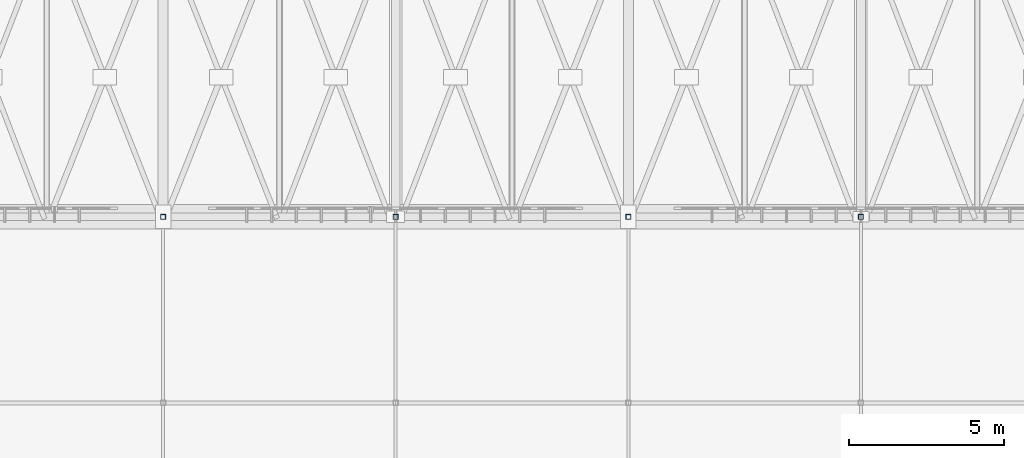
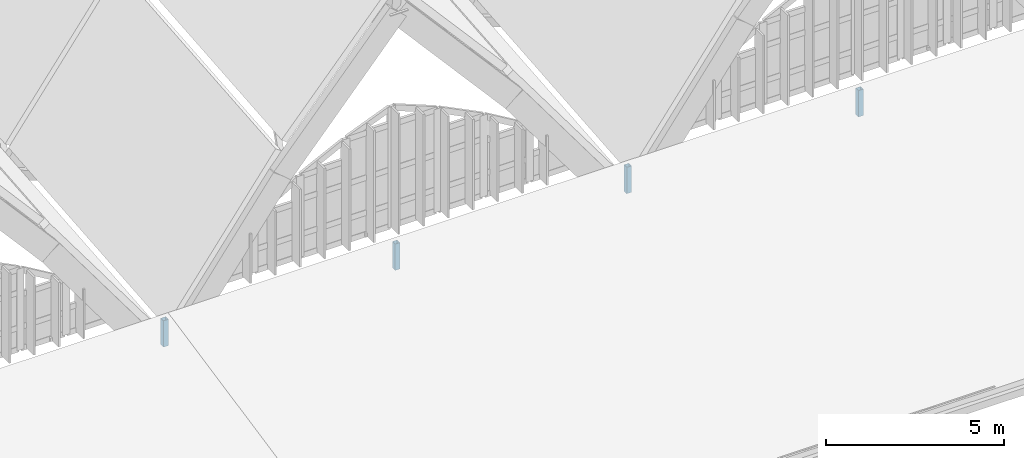
# One storey, part 14 of 93: 4 columns.
"""IFC4 building model written with IfcOpenShell, lengths in metres."""

from ifc_helpers import new_model, si_unit, direction, frame, origin, origin_2d, place, context, subcontext, project, spatial, hollow_rectangle, extrude, material, material_profile, profile_set, type_object, element, save


model = new_model("IFC4")

# Units and contexts
model_context = context("Model", 3, precision=1e-05, world=origin(), true_north=direction((0.0, 1.0)))
body_context = subcontext(model_context, "Body", "Model", "MODEL_VIEW")
ifc_project = project(units=[si_unit("LENGTHUNIT", "METRE"), si_unit("AREAUNIT", "SQUARE_METRE"), si_unit("VOLUMEUNIT", "CUBIC_METRE"), si_unit("PLANEANGLEUNIT", "RADIAN"), si_unit("MASSUNIT", "GRAM", prefix="KILO")], contexts=[model_context])

# Site, building, storey
site_placement = place(None, origin())
site = spatial("IfcSite", under=ifc_project, at=site_placement, CompositionType="ELEMENT")
building_placement = place(site_placement, origin())
building = spatial("IfcBuilding", under=site, at=building_placement, Name="Vourika Railside Aquatics Centre", CompositionType="ELEMENT")
storey_placement = place(building_placement, frame((0.0, 0.0, 21.89990234375)))
storey = spatial("IfcBuildingStorey", under=building, at=storey_placement, Name="Roof", CompositionType="ELEMENT", Elevation=21.89990234375)

# Columns
ifc_material = material(Name="Steel S355J2", Category="steel")
ifc_material_profile = material_profile(ifc_material, hollow_rectangle(XDim=0.159912109375, YDim=0.159912109375, WallThickness=0.008056640625, at=origin_2d()), Name="SHS 160x160x8")
ifc_profile_set = profile_set([ifc_material_profile], Name="Steel S355J2")
column_type = type_object("IfcColumnType", Name="COL-STL-SHS160", PredefinedType="COLUMN", material=ifc_profile_set)
for number, where, z_axis, x_axis, name in (
    (1, (66.0, 12.0, -11.14990234375), (0.0, 0.0, 1.0), (1.0, 0.0, 0.0), "Changing Roof Ridge Post (66.0,12.0)"),
    (2, (73.5, 12.0, -11.14990234375), (0.0, 0.0, 1.0), (1.0, 0.0, 0.0), "Changing Roof Ridge Post (73.5,12.0)"),
    (3, (81.0, 12.0, -11.14990234375), (0.0, 0.0, 1.0), (1.0, 0.0, 0.0), "Changing Roof Ridge Post (81.0,12.0)"),
    (4, (88.5, 12.0, -11.14990234375), (0.0, 0.0, 1.0), (1.0, 0.0, 0.0), "Changing Roof Ridge Post (88.5,12.0)"),
):
    element("IfcColumn", number, at=place(storey_placement, frame(where, z_axis=z_axis, x_axis=x_axis)), inside=storey, type_object=column_type, Name=name, PredefinedType="COLUMN", context=body_context, shape_type="SweptSolid", body=[
        extrude(hollow_rectangle(XDim=0.159912109375, YDim=0.159912109375, WallThickness=0.008056640625, at=origin_2d()), origin(), (0.0, 0.0, 1.0), 0.89990234375),
    ])

save(model, "model.ifc")
